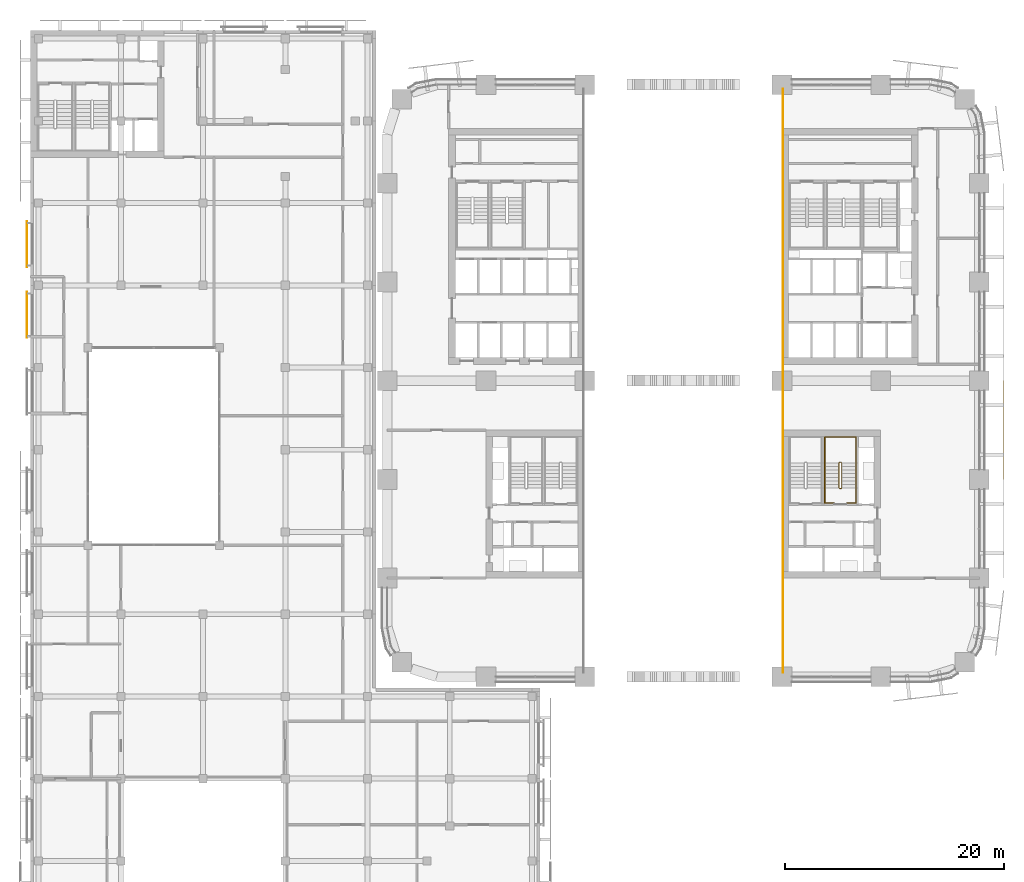
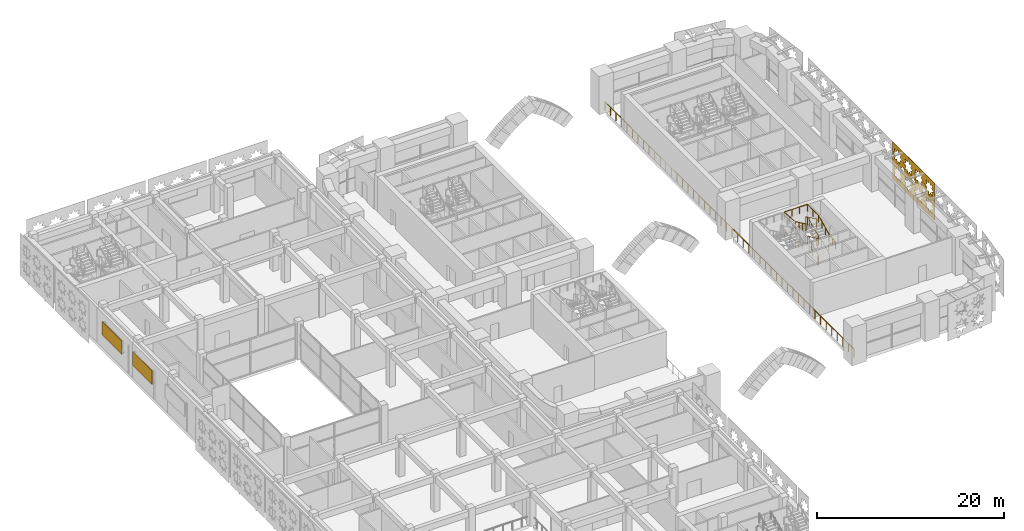
# One storey, part 35 of 40: 4 railings, 3 coverings.
"""IFC4 building model written with IfcOpenShell, lengths in metres."""

from ifc_helpers import new_model, si_unit, direction, frame, origin, origin_2d, place, context, subcontext, project, spatial, polyline, rectangle, circle, outline, extrude, material, layer, layer_set, type_object, element, save


model = new_model("IFC4")

# Units and contexts
model_context = context("Model", 3, precision=1e-05, world=origin(), true_north=direction((0.0, 1.0)))
body_context = subcontext(model_context, "Body", "Model", "MODEL_VIEW")
ifc_project = project(units=[si_unit("LENGTHUNIT", "METRE"), si_unit("AREAUNIT", "SQUARE_METRE"), si_unit("VOLUMEUNIT", "CUBIC_METRE"), si_unit("PLANEANGLEUNIT", "RADIAN"), si_unit("MASSUNIT", "GRAM", prefix="KILO")], contexts=[model_context])

# Site, building, storey
site_placement = place(None, origin())
site = spatial("IfcSite", under=ifc_project, at=site_placement, CompositionType="ELEMENT")
building_placement = place(site_placement, origin())
building = spatial("IfcBuilding", under=site, at=building_placement, Name="Tessera Arch", CompositionType="ELEMENT")
storey_placement = place(building_placement, frame((0.0, 0.0, 21.0)))
storey = spatial("IfcBuildingStorey", under=building, at=storey_placement, Name="L03", CompositionType="ELEMENT", Elevation=21.0)

# Covering
ifc_material_1 = material(Name="Anodised aluminium pale metal", Category="aluminium")
ifc_layer_1 = layer(ifc_material_1, 0.050048828125)
ifc_layer_set_1 = layer_set([ifc_layer_1], Name="Base lattice panel pale metal")
covering_type_1 = type_object("IfcCoveringType", Name="Base lattice panel pale metal", PredefinedType="CLADDING", material=ifc_layer_set_1)
covering_placement = place(storey_placement, frame((56.199951171875, 18.0, 5.0), z_axis=(-1.0, 0.0, 0.0), x_axis=(0.0, 1.0, 0.0)))
element("IfcCovering", 1, at=covering_placement, inside=storey, type_object=covering_type_1, Name="Base lattice panel E54.0/1 L03", PredefinedType="CLADDING", context=body_context, shape_type="SweptSolid", body=[
    extrude(outline(polyline([(0.0, 0.0), (9.0, 0.0), (9.0, 4.840087890625), (0.0, 4.840087890625), (0.0, 0.0)]), holes=[polyline([(2.114990234375, 3.544921875), (1.6240234375, 3.337890625), (1.824951171875, 2.844970703125), (1.33203125, 3.0458984375), (1.125, 2.554931640625), (0.91796875, 3.0458984375), (0.425048828125, 2.844970703125), (0.6259765625, 3.337890625), (0.135009765625, 3.544921875), (0.6259765625, 3.751953125), (0.425048828125, 4.2451171875), (0.91796875, 4.0439453125), (1.125, 4.534912109375), (1.33203125, 4.0439453125), (1.824951171875, 4.2451171875), (1.6240234375, 3.751953125), (2.114990234375, 3.544921875)]), polyline([(2.114990234375, 1.294921875), (1.6240234375, 1.087890625), (1.824951171875, 0.594970703125), (1.33203125, 0.7958984375), (1.125, 0.304931640625), (0.91796875, 0.7958984375), (0.425048828125, 0.594970703125), (0.6259765625, 1.087890625), (0.135009765625, 1.294921875), (0.6259765625, 1.501953125), (0.425048828125, 1.9951171875), (0.91796875, 1.7939453125), (1.125, 2.284912109375), (1.33203125, 1.7939453125), (1.824951171875, 1.9951171875), (1.6240234375, 1.501953125), (2.114990234375, 1.294921875)]), polyline([(4.364990234375, 3.544921875), (3.8740234375, 3.337890625), (4.074951171875, 2.844970703125), (3.58203125, 3.0458984375), (3.375, 2.554931640625), (3.16796875, 3.0458984375), (2.675048828125, 2.844970703125), (2.8759765625, 3.337890625), (2.385009765625, 3.544921875), (2.8759765625, 3.751953125), (2.675048828125, 4.2451171875), (3.16796875, 4.0439453125), (3.375, 4.534912109375), (3.58203125, 4.0439453125), (4.074951171875, 4.2451171875), (3.8740234375, 3.751953125), (4.364990234375, 3.544921875)]), polyline([(4.364990234375, 1.294921875), (3.8740234375, 1.087890625), (4.074951171875, 0.594970703125), (3.58203125, 0.7958984375), (3.375, 0.304931640625), (3.16796875, 0.7958984375), (2.675048828125, 0.594970703125), (2.8759765625, 1.087890625), (2.385009765625, 1.294921875), (2.8759765625, 1.501953125), (2.675048828125, 1.9951171875), (3.16796875, 1.7939453125), (3.375, 2.284912109375), (3.58203125, 1.7939453125), (4.074951171875, 1.9951171875), (3.8740234375, 1.501953125), (4.364990234375, 1.294921875)]), polyline([(6.614990234375, 3.544921875), (6.1240234375, 3.337890625), (6.324951171875, 2.844970703125), (5.83203125, 3.0458984375), (5.625, 2.554931640625), (5.41796875, 3.0458984375), (4.925048828125, 2.844970703125), (5.1259765625, 3.337890625), (4.635009765625, 3.544921875), (5.1259765625, 3.751953125), (4.925048828125, 4.2451171875), (5.41796875, 4.0439453125), (5.625, 4.534912109375), (5.83203125, 4.0439453125), (6.324951171875, 4.2451171875), (6.1240234375, 3.751953125), (6.614990234375, 3.544921875)]), polyline([(6.614990234375, 1.294921875), (6.1240234375, 1.087890625), (6.324951171875, 0.594970703125), (5.83203125, 0.7958984375), (5.625, 0.304931640625), (5.41796875, 0.7958984375), (4.925048828125, 0.594970703125), (5.1259765625, 1.087890625), (4.635009765625, 1.294921875), (5.1259765625, 1.501953125), (4.925048828125, 1.9951171875), (5.41796875, 1.7939453125), (5.625, 2.284912109375), (5.83203125, 1.7939453125), (6.324951171875, 1.9951171875), (6.1240234375, 1.501953125), (6.614990234375, 1.294921875)]), polyline([(8.864990234375, 3.544921875), (8.3740234375, 3.337890625), (8.574951171875, 2.844970703125), (8.08203125, 3.0458984375), (7.875, 2.554931640625), (7.66796875, 3.0458984375), (7.175048828125, 2.844970703125), (7.3759765625, 3.337890625), (6.885009765625, 3.544921875), (7.3759765625, 3.751953125), (7.175048828125, 4.2451171875), (7.66796875, 4.0439453125), (7.875, 4.534912109375), (8.08203125, 4.0439453125), (8.574951171875, 4.2451171875), (8.3740234375, 3.751953125), (8.864990234375, 3.544921875)]), polyline([(8.864990234375, 1.294921875), (8.3740234375, 1.087890625), (8.574951171875, 0.594970703125), (8.08203125, 0.7958984375), (7.875, 0.304931640625), (7.66796875, 0.7958984375), (7.175048828125, 0.594970703125), (7.3759765625, 1.087890625), (6.885009765625, 1.294921875), (7.3759765625, 1.501953125), (7.175048828125, 1.9951171875), (7.66796875, 1.7939453125), (7.875, 2.284912109375), (8.08203125, 1.7939453125), (8.574951171875, 1.9951171875), (8.3740234375, 1.501953125), (8.864990234375, 1.294921875)]), polyline([(2.699951171875, 2.419921875), (2.25, 1.969970703125), (1.800048828125, 2.419921875), (2.25, 2.8701171875), (2.699951171875, 2.419921875)]), polyline([(4.949951171875, 2.419921875), (4.5, 1.969970703125), (4.050048828125, 2.419921875), (4.5, 2.8701171875), (4.949951171875, 2.419921875)]), polyline([(7.199951171875, 2.419921875), (6.75, 1.969970703125), (6.300048828125, 2.419921875), (6.75, 2.8701171875), (7.199951171875, 2.419921875)])]), origin(), (0.0, 0.0, -1.0), 0.050048828125),
])

# Railing
ifc_material_2 = material(Name="Stainless steel and clear glass", Category="steel")
railing_type_1 = type_object("IfcRailingType", Name="Museum roof guard 1100", PredefinedType="GUARDRAIL", material=ifc_material_2)
railing_1_placement = place(storey_placement, frame((36.10009765625, 0.39990234375, 0.0)))
element("IfcRailing", 2, at=railing_1_placement, inside=storey, type_object=railing_type_1, Name="Arch passage edge guard L03", PredefinedType="GUARDRAIL", context=body_context, shape_type="SweptSolid", body=[
    extrude(circle(Radius=0.02490234375, at=origin_2d()), frame((0.0, -0.00390625, 1.0751953125), z_axis=(0.0, 1.0, 0.0), x_axis=(-1.0, 0.0, 0.0)), (0.0, 0.0, 1.0), 53.208251953125),
    extrude(circle(Radius=0.02001953125, at=origin_2d()), origin(), (0.0, 0.0, 1.0), 1.06201171875),
    extrude(circle(Radius=0.02001953125, at=origin_2d()), frame((0.0, 1.18212890625, 0.0)), (0.0, 0.0, 1.0), 1.06201171875),
    extrude(circle(Radius=0.02001953125, at=origin_2d()), frame((0.0, 2.364501953125, 0.0)), (0.0, 0.0, 1.0), 1.06201171875),
    extrude(circle(Radius=0.02001953125, at=origin_2d()), frame((0.0, 3.546630859375, 0.0)), (0.0, 0.0, 1.0), 1.06201171875),
    extrude(circle(Radius=0.02001953125, at=origin_2d()), frame((0.0, 4.72900390625, 0.0)), (0.0, 0.0, 1.0), 1.06201171875),
    extrude(circle(Radius=0.02001953125, at=origin_2d()), frame((0.0, 5.9111328125, 0.0)), (0.0, 0.0, 1.0), 1.06201171875),
    extrude(circle(Radius=0.02001953125, at=origin_2d()), frame((0.0, 7.09326171875, 0.0)), (0.0, 0.0, 1.0), 1.06201171875),
    extrude(circle(Radius=0.02001953125, at=origin_2d()), frame((0.0, 8.275634765625, 0.0)), (0.0, 0.0, 1.0), 1.06201171875),
    extrude(circle(Radius=0.02001953125, at=origin_2d()), frame((0.0, 9.457763671875, 0.0)), (0.0, 0.0, 1.0), 1.06201171875),
    extrude(circle(Radius=0.02001953125, at=origin_2d()), frame((0.0, 10.64013671875, 0.0)), (0.0, 0.0, 1.0), 1.06201171875),
    extrude(circle(Radius=0.02001953125, at=origin_2d()), frame((0.0, 11.822265625, 0.0)), (0.0, 0.0, 1.0), 1.06201171875),
    extrude(circle(Radius=0.02001953125, at=origin_2d()), frame((0.0, 13.00439453125, 0.0)), (0.0, 0.0, 1.0), 1.06201171875),
    extrude(circle(Radius=0.02001953125, at=origin_2d()), frame((0.0, 14.186767578125, 0.0)), (0.0, 0.0, 1.0), 1.06201171875),
    extrude(circle(Radius=0.02001953125, at=origin_2d()), frame((0.0, 15.368896484375, 0.0)), (0.0, 0.0, 1.0), 1.06201171875),
    extrude(circle(Radius=0.02001953125, at=origin_2d()), frame((0.0, 16.55126953125, 0.0)), (0.0, 0.0, 1.0), 1.06201171875),
    extrude(circle(Radius=0.02001953125, at=origin_2d()), frame((0.0, 17.7333984375, 0.0)), (0.0, 0.0, 1.0), 1.06201171875),
    extrude(circle(Radius=0.02001953125, at=origin_2d()), frame((0.0, 18.91552734375, 0.0)), (0.0, 0.0, 1.0), 1.06201171875),
    extrude(circle(Radius=0.02001953125, at=origin_2d()), frame((0.0, 20.097900390625, 0.0)), (0.0, 0.0, 1.0), 1.06201171875),
    extrude(circle(Radius=0.02001953125, at=origin_2d()), frame((0.0, 21.280029296875, 0.0)), (0.0, 0.0, 1.0), 1.06201171875),
    extrude(circle(Radius=0.02001953125, at=origin_2d()), frame((0.0, 22.46240234375, 0.0)), (0.0, 0.0, 1.0), 1.06201171875),
    extrude(circle(Radius=0.02001953125, at=origin_2d()), frame((0.0, 23.64453125, 0.0)), (0.0, 0.0, 1.0), 1.06201171875),
    extrude(circle(Radius=0.02001953125, at=origin_2d()), frame((0.0, 24.82666015625, 0.0)), (0.0, 0.0, 1.0), 1.06201171875),
    extrude(circle(Radius=0.02001953125, at=origin_2d()), frame((0.0, 26.009033203125, 0.0)), (0.0, 0.0, 1.0), 1.06201171875),
    extrude(circle(Radius=0.02001953125, at=origin_2d()), frame((0.0, 27.191162109375, 0.0)), (0.0, 0.0, 1.0), 1.06201171875),
    extrude(circle(Radius=0.02001953125, at=origin_2d()), frame((0.0, 28.37353515625, 0.0)), (0.0, 0.0, 1.0), 1.06201171875),
    extrude(circle(Radius=0.02001953125, at=origin_2d()), frame((0.0, 29.5556640625, 0.0)), (0.0, 0.0, 1.0), 1.06201171875),
    extrude(circle(Radius=0.02001953125, at=origin_2d()), frame((0.0, 30.73779296875, 0.0)), (0.0, 0.0, 1.0), 1.06201171875),
    extrude(circle(Radius=0.02001953125, at=origin_2d()), frame((0.0, 31.920166015625, 0.0)), (0.0, 0.0, 1.0), 1.06201171875),
    extrude(circle(Radius=0.02001953125, at=origin_2d()), frame((0.0, 33.102294921875, 0.0)), (0.0, 0.0, 1.0), 1.06201171875),
    extrude(circle(Radius=0.02001953125, at=origin_2d()), frame((0.0, 34.28466796875, 0.0)), (0.0, 0.0, 1.0), 1.06201171875),
    extrude(circle(Radius=0.02001953125, at=origin_2d()), frame((0.0, 35.466796875, 0.0)), (0.0, 0.0, 1.0), 1.06201171875),
    extrude(circle(Radius=0.02001953125, at=origin_2d()), frame((0.0, 36.64892578125, 0.0)), (0.0, 0.0, 1.0), 1.06201171875),
    extrude(circle(Radius=0.02001953125, at=origin_2d()), frame((0.0, 37.831298828125, 0.0)), (0.0, 0.0, 1.0), 1.06201171875),
    extrude(circle(Radius=0.02001953125, at=origin_2d()), frame((0.0, 39.013427734375, 0.0)), (0.0, 0.0, 1.0), 1.06201171875),
    extrude(circle(Radius=0.02001953125, at=origin_2d()), frame((0.0, 40.19580078125, 0.0)), (0.0, 0.0, 1.0), 1.06201171875),
    extrude(circle(Radius=0.02001953125, at=origin_2d()), frame((0.0, 41.3779296875, 0.0)), (0.0, 0.0, 1.0), 1.06201171875),
    extrude(circle(Radius=0.02001953125, at=origin_2d()), frame((0.0, 42.56005859375, 0.0)), (0.0, 0.0, 1.0), 1.06201171875),
    extrude(circle(Radius=0.02001953125, at=origin_2d()), frame((0.0, 43.742431640625, 0.0)), (0.0, 0.0, 1.0), 1.06201171875),
    extrude(circle(Radius=0.02001953125, at=origin_2d()), frame((0.0, 44.924560546875, 0.0)), (0.0, 0.0, 1.0), 1.06201171875),
    extrude(circle(Radius=0.02001953125, at=origin_2d()), frame((0.0, 46.10693359375, 0.0)), (0.0, 0.0, 1.0), 1.06201171875),
    extrude(circle(Radius=0.02001953125, at=origin_2d()), frame((0.0, 47.2890625, 0.0)), (0.0, 0.0, 1.0), 1.06201171875),
    extrude(circle(Radius=0.02001953125, at=origin_2d()), frame((0.0, 48.47119140625, 0.0)), (0.0, 0.0, 1.0), 1.06201171875),
    extrude(circle(Radius=0.02001953125, at=origin_2d()), frame((0.0, 49.653564453125, 0.0)), (0.0, 0.0, 1.0), 1.06201171875),
    extrude(circle(Radius=0.02001953125, at=origin_2d()), frame((0.0, 50.835693359375, 0.0)), (0.0, 0.0, 1.0), 1.06201171875),
    extrude(circle(Radius=0.02001953125, at=origin_2d()), frame((0.0, 52.01806640625, 0.0)), (0.0, 0.0, 1.0), 1.06201171875),
    extrude(circle(Radius=0.02001953125, at=origin_2d()), frame((0.0, 53.2001953125, 0.0)), (0.0, 0.0, 1.0), 1.06201171875),
])

# Coverings
ifc_material_3 = material(Name="Anodised aluminium pale metal", Category="aluminium")
ifc_layer_2 = layer(ifc_material_3, 0.0400390625)
ifc_layer_set_2 = layer_set([ifc_layer_2], Name="Museum screen panel")
covering_type_2 = type_object("IfcCoveringType", Name="Museum screen panel", PredefinedType="CLADDING", material=ifc_layer_set_2)
for number, where, z_axis, x_axis, name in (
    (3, (-32.8701171875, 39.449951171875, 2.10009765625), (0.0, 0.0, 1.0), (0.0, -1.0, 0.0), "Screen panel museum L03 6-4"),
    (4, (-32.8701171875, 33.0, 2.10009765625), (0.0, 0.0, 1.0), (0.0, -1.0, 0.0), "Screen panel museum L03 6-5"),
):
    element("IfcCovering", number, at=place(storey_placement, frame(where, z_axis=z_axis, x_axis=x_axis)), inside=storey, type_object=covering_type_2, Name=name, PredefinedType="CLADDING", context=body_context, shape_type="SweptSolid", body=[
        extrude(rectangle(XDim=4.199951171875, YDim=0.0400390625, at=origin_2d()), origin(), (0.0, 0.0, 1.0), 1.800048828125),
    ])

# Railings
ifc_material_4 = material(Name="Painted steel balustrade", Category="steel")
railing_type_2 = type_object("IfcRailingType", Name="Stair guard 1100", PredefinedType="GUARDRAIL", material=ifc_material_4)
railing_2_placement = place(storey_placement, frame((41.39990234375, 17.14990234375, 0.0)))
element("IfcRailing", 5, at=railing_2_placement, inside=storey, type_object=railing_type_2, Name="L03 S3b stair guard 1", PredefinedType="GUARDRAIL", context=body_context, shape_type="SweptSolid", body=[
    extrude(circle(Radius=0.02392578125, at=origin_2d()), frame((0.00390625, 0.0, 1.076171875), z_axis=(-1.0, 0.0, 0.0), x_axis=(0.0, -1.0, 0.0)), (0.0, 0.0, 1.0), 0.157958984375),
    extrude(circle(Radius=0.02392578125, at=origin_2d()), frame((-0.153076171875, -0.000732421875, 1.07373046875), z_axis=(0.77305925043, 0.19350078918, 0.604100024756), x_axis=(-0.242814311512, 0.970072785993, 0.0)), (0.0, 0.0, 1.0), 0.2666015625),
    extrude(circle(Radius=0.02392578125, at=origin_2d()), frame((0.050048828125, 0.04638671875, 1.23046875), z_axis=(0.0, 0.903811734687, 0.427930307694), x_axis=(-1.0, 0.0, 0.0)), (0.0, 0.0, 1.0), 2.56396484375),
    extrude(circle(Radius=0.02392578125, at=origin_2d()), frame((0.052978515625, 2.357177734375, 2.326171875), z_axis=(-0.707106781187, 0.707106781187, 0.0), x_axis=(-0.707106781187, -0.707106781187, 0.0)), (0.0, 0.0, 1.0), 0.078857421875),
    extrude(circle(Radius=0.02392578125, at=origin_2d()), frame((0.00390625, 2.41015625, 2.326171875), z_axis=(-1.0, 0.0, 0.0), x_axis=(0.0, -1.0, 0.0)), (0.0, 0.0, 1.0), 0.157958984375),
    extrude(circle(Radius=0.02392578125, at=origin_2d()), frame((-0.148681640625, 2.411376953125, 2.322509765625), z_axis=(-0.29177245553, -0.29177245553, 0.91089937336), x_axis=(0.707106781187, -0.707106781187, 0.0)), (0.0, 0.0, 1.0), 0.179443359375),
    extrude(circle(Radius=0.02392578125, at=origin_2d()), frame((-0.199951171875, 2.36376953125, 2.48046875), z_axis=(0.0, -0.903811734687, 0.427930307694), x_axis=(1.0, 0.0, 0.0)), (0.0, 0.0, 1.0), 2.56396484375),
    extrude(circle(Radius=0.02392578125, at=origin_2d()), frame((-0.203857421875, 0.051025390625, 3.576171875), z_axis=(0.970072785993, -0.242814311512, 0.0), x_axis=(0.242814311512, 0.970072785993, 0.0)), (0.0, 0.0, 1.0), 0.214111328125),
    extrude(circle(Radius=0.02392578125, at=origin_2d()), frame((0.00390625, 0.0, 3.576171875), z_axis=(-1.0, 0.0, 0.0), x_axis=(0.0, -1.0, 0.0)), (0.0, 0.0, 1.0), 0.157958984375),
    extrude(circle(Radius=0.02392578125, at=origin_2d()), frame((-0.153076171875, -0.000732421875, 3.57373046875), z_axis=(0.77305925043, 0.19350078918, 0.604100024756), x_axis=(-0.242814311512, 0.970072785993, 0.0)), (0.0, 0.0, 1.0), 0.2666015625),
    extrude(circle(Radius=0.02392578125, at=origin_2d()), frame((0.050048828125, 0.04638671875, 3.73046875), z_axis=(0.0, 0.903811734687, 0.427930307694), x_axis=(-1.0, 0.0, 0.0)), (0.0, 0.0, 1.0), 2.56396484375),
    extrude(circle(Radius=0.02392578125, at=origin_2d()), frame((0.052978515625, 2.357177734375, 4.826171875), z_axis=(-0.707106781187, 0.707106781187, 0.0), x_axis=(-0.707106781187, -0.707106781187, 0.0)), (0.0, 0.0, 1.0), 0.078857421875),
    extrude(circle(Radius=0.02392578125, at=origin_2d()), frame((0.00390625, 2.41015625, 4.826171875), z_axis=(-1.0, 0.0, 0.0), x_axis=(0.0, -1.0, 0.0)), (0.0, 0.0, 1.0), 0.157958984375),
    extrude(circle(Radius=0.02392578125, at=origin_2d()), frame((-0.148681640625, 2.411376953125, 4.822509765625), z_axis=(-0.29177245553, -0.29177245553, 0.91089937336), x_axis=(0.707106781187, -0.707106781187, 0.0)), (0.0, 0.0, 1.0), 0.179443359375),
    extrude(circle(Radius=0.02392578125, at=origin_2d()), frame((-0.199951171875, 2.36376953125, 4.98046875), z_axis=(0.0, -0.903811734687, 0.427930307694), x_axis=(1.0, 0.0, 0.0)), (0.0, 0.0, 1.0), 2.56396484375),
    extrude(circle(Radius=0.02099609375, at=origin_2d()), origin(), (0.0, 0.0, 1.0), 1.06396484375),
    extrude(circle(Radius=0.02099609375, at=origin_2d()), frame((-0.14990234375, 0.0, 0.0)), (0.0, 0.0, 1.0), 1.06396484375),
    extrude(circle(Radius=0.02099609375, at=origin_2d()), frame((0.050048828125, 0.050048828125, 0.15625)), (0.0, 0.0, 1.0), 1.06396484375),
    extrude(circle(Radius=0.02099609375, at=origin_2d()), frame((0.050048828125, 0.820068359375, 0.520751953125)), (0.0, 0.0, 1.0), 1.06396484375),
    extrude(circle(Radius=0.02099609375, at=origin_2d()), frame((0.050048828125, 1.590087890625, 0.885498046875)), (0.0, 0.0, 1.0), 1.06396484375),
    extrude(circle(Radius=0.02099609375, at=origin_2d()), frame((0.050048828125, 2.360107421875, 1.25)), (0.0, 0.0, 1.0), 1.06396484375),
    extrude(circle(Radius=0.02099609375, at=origin_2d()), frame((0.0, 2.41015625, 1.25)), (0.0, 0.0, 1.0), 1.06396484375),
    extrude(circle(Radius=0.02099609375, at=origin_2d()), frame((-0.14990234375, 2.41015625, 1.25)), (0.0, 0.0, 1.0), 1.06396484375),
    extrude(circle(Radius=0.02099609375, at=origin_2d()), frame((-0.199951171875, 2.360107421875, 1.40625)), (0.0, 0.0, 1.0), 1.06396484375),
    extrude(circle(Radius=0.02099609375, at=origin_2d()), frame((-0.199951171875, 1.590087890625, 1.770751953125)), (0.0, 0.0, 1.0), 1.06396484375),
    extrude(circle(Radius=0.02099609375, at=origin_2d()), frame((-0.199951171875, 0.820068359375, 2.135498046875)), (0.0, 0.0, 1.0), 1.06396484375),
    extrude(circle(Radius=0.02099609375, at=origin_2d()), frame((-0.199951171875, 0.050048828125, 2.5)), (0.0, 0.0, 1.0), 1.06396484375),
    extrude(circle(Radius=0.02099609375, at=origin_2d()), frame((0.0, 0.0, 2.5)), (0.0, 0.0, 1.0), 1.06396484375),
    extrude(circle(Radius=0.02099609375, at=origin_2d()), frame((-0.14990234375, 0.0, 2.5)), (0.0, 0.0, 1.0), 1.06396484375),
    extrude(circle(Radius=0.02099609375, at=origin_2d()), frame((0.050048828125, 0.050048828125, 2.65625)), (0.0, 0.0, 1.0), 1.06396484375),
    extrude(circle(Radius=0.02099609375, at=origin_2d()), frame((0.050048828125, 0.820068359375, 3.020751953125)), (0.0, 0.0, 1.0), 1.06396484375),
    extrude(circle(Radius=0.02099609375, at=origin_2d()), frame((0.050048828125, 1.590087890625, 3.385498046875)), (0.0, 0.0, 1.0), 1.06396484375),
    extrude(circle(Radius=0.02099609375, at=origin_2d()), frame((0.050048828125, 2.360107421875, 3.75)), (0.0, 0.0, 1.0), 1.06396484375),
    extrude(circle(Radius=0.02099609375, at=origin_2d()), frame((0.0, 2.41015625, 3.75)), (0.0, 0.0, 1.0), 1.06396484375),
    extrude(circle(Radius=0.02099609375, at=origin_2d()), frame((-0.14990234375, 2.41015625, 3.75)), (0.0, 0.0, 1.0), 1.06396484375),
    extrude(circle(Radius=0.02099609375, at=origin_2d()), frame((-0.199951171875, 2.360107421875, 3.90625)), (0.0, 0.0, 1.0), 1.06396484375),
    extrude(circle(Radius=0.02099609375, at=origin_2d()), frame((-0.199951171875, 1.590087890625, 4.270751953125)), (0.0, 0.0, 1.0), 1.06396484375),
    extrude(circle(Radius=0.02099609375, at=origin_2d()), frame((-0.199951171875, 0.820068359375, 4.635498046875)), (0.0, 0.0, 1.0), 1.06396484375),
    extrude(circle(Radius=0.02099609375, at=origin_2d()), frame((-0.199951171875, 0.050048828125, 5.0)), (0.0, 0.0, 1.0), 1.06396484375),
])
ifc_material_5 = material(Name="Painted steel handrail", Category="steel")
railing_type_3 = type_object("IfcRailingType", Name="Stair handrail 900", PredefinedType="HANDRAIL", material=ifc_material_5)
railing_3_placement = place(storey_placement, frame((42.75, 17.199951171875, 0.15625)))
element("IfcRailing", 6, at=railing_3_placement, inside=storey, type_object=railing_type_3, Name="L03 S3b stair handrail", PredefinedType="HANDRAIL", context=body_context, shape_type="SweptSolid", body=[
    extrude(circle(Radius=0.02392578125, at=origin_2d()), frame((0.0, -0.003662109375, 0.8740234375), z_axis=(0.0, 0.903811734687, 0.427930307694), x_axis=(-1.0, 0.0, 0.0)), (0.0, 0.0, 1.0), 2.56396484375),
    extrude(circle(Radius=0.02392578125, at=origin_2d()), frame((0.0, 2.30615234375, 1.9697265625), z_axis=(0.0, 1.0, 0.0), x_axis=(-1.0, 0.0, 0.0)), (0.0, 0.0, 1.0), 2.34814453125),
    extrude(circle(Radius=0.02392578125, at=origin_2d()), frame((0.00390625, 4.650146484375, 1.9697265625), z_axis=(-1.0, 0.0, 0.0), x_axis=(0.0, -1.0, 0.0)), (0.0, 0.0, 1.0), 2.858154296875),
    extrude(circle(Radius=0.02392578125, at=origin_2d()), frame((-2.85009765625, 4.654052734375, 1.96923828125), z_axis=(0.0, -0.997778243323, 0.066622647441), x_axis=(1.0, 0.0, 0.0)), (0.0, 0.0, 1.0), 2.353271484375),
    extrude(circle(Radius=0.02392578125, at=origin_2d()), frame((-2.85009765625, 2.313720703125, 2.1240234375), z_axis=(0.0, -0.903811734687, 0.427930307694), x_axis=(1.0, 0.0, 0.0)), (0.0, 0.0, 1.0), 2.56396484375),
    extrude(circle(Radius=0.02392578125, at=origin_2d()), frame((-2.85009765625, 0.00390625, 3.2197265625), z_axis=(0.0, -1.0, 0.0), x_axis=(1.0, 0.0, 0.0)), (0.0, 0.0, 1.0), 1.35791015625),
    extrude(circle(Radius=0.02392578125, at=origin_2d()), frame((-2.85400390625, -1.349853515625, 3.2197265625), z_axis=(1.0, 0.0, 0.0), x_axis=(0.0, 1.0, 0.0)), (0.0, 0.0, 1.0), 0.833251953125),
    extrude(circle(Radius=0.02099609375, at=origin_2d()), origin(), (0.0, 0.0, 1.0), 0.86376953125),
    extrude(circle(Radius=0.02099609375, at=origin_2d()), frame((0.0, 0.77001953125, 0.364501953125)), (0.0, 0.0, 1.0), 0.86376953125),
    extrude(circle(Radius=0.02099609375, at=origin_2d()), frame((0.0, 1.5400390625, 0.729248046875)), (0.0, 0.0, 1.0), 0.86376953125),
    extrude(circle(Radius=0.02099609375, at=origin_2d()), frame((0.0, 2.31005859375, 1.09375)), (0.0, 0.0, 1.0), 0.86376953125),
    extrude(circle(Radius=0.02099609375, at=origin_2d()), frame((0.0, 3.47998046875, 1.09375)), (0.0, 0.0, 1.0), 0.86376953125),
    extrude(circle(Radius=0.02099609375, at=origin_2d()), frame((0.0, 4.650146484375, 1.09375)), (0.0, 0.0, 1.0), 0.86376953125),
    extrude(circle(Radius=0.02099609375, at=origin_2d()), frame((-0.949951171875, 4.650146484375, 1.09375)), (0.0, 0.0, 1.0), 0.86376953125),
    extrude(circle(Radius=0.02099609375, at=origin_2d()), frame((-1.900146484375, 4.650146484375, 1.09375)), (0.0, 0.0, 1.0), 0.86376953125),
    extrude(circle(Radius=0.02099609375, at=origin_2d()), frame((-2.85009765625, 4.650146484375, 1.09375)), (0.0, 0.0, 1.0), 0.86376953125),
    extrude(circle(Radius=0.02099609375, at=origin_2d()), frame((-2.85009765625, 3.47998046875, 1.171875)), (0.0, 0.0, 1.0), 0.86376953125),
    extrude(circle(Radius=0.02099609375, at=origin_2d()), frame((-2.85009765625, 2.31005859375, 1.25)), (0.0, 0.0, 1.0), 0.86376953125),
    extrude(circle(Radius=0.02099609375, at=origin_2d()), frame((-2.85009765625, 1.5400390625, 1.614501953125)), (0.0, 0.0, 1.0), 0.86376953125),
    extrude(circle(Radius=0.02099609375, at=origin_2d()), frame((-2.85009765625, 0.77001953125, 1.979248046875)), (0.0, 0.0, 1.0), 0.86376953125),
    extrude(circle(Radius=0.02099609375, at=origin_2d()), frame((-2.85009765625, 0.0, 2.34375)), (0.0, 0.0, 1.0), 0.86376953125),
    extrude(circle(Radius=0.02099609375, at=origin_2d()), frame((-2.85009765625, -0.6748046875, 2.34375)), (0.0, 0.0, 1.0), 0.86376953125),
    extrude(circle(Radius=0.02099609375, at=origin_2d()), frame((-2.85009765625, -1.349853515625, 2.34375)), (0.0, 0.0, 1.0), 0.86376953125),
    extrude(circle(Radius=0.02099609375, at=origin_2d()), frame((-2.02490234375, -1.349853515625, 2.34375)), (0.0, 0.0, 1.0), 0.86376953125),
])
railing_4_placement = place(storey_placement, frame((41.925048828125, 15.85009765625, 2.5)))
element("IfcRailing", 7, at=railing_4_placement, inside=storey, type_object=railing_type_3, Name="L03 S3b stair handrail 2", PredefinedType="HANDRAIL", context=body_context, shape_type="SweptSolid", body=[
    extrude(circle(Radius=0.02392578125, at=origin_2d()), frame((-0.00390625, 0.0, 0.8759765625), z_axis=(1.0, 0.0, 0.0), x_axis=(0.0, 1.0, 0.0)), (0.0, 0.0, 1.0), 0.8330078125),
    extrude(circle(Radius=0.02392578125, at=origin_2d()), frame((0.824951171875, -0.00390625, 0.87548828125), z_axis=(0.0, 0.993367166886, 0.114985528451), x_axis=(-1.0, 0.0, 0.0)), (0.0, 0.0, 1.0), 1.366943359375),
    extrude(circle(Radius=0.02392578125, at=origin_2d()), frame((0.824951171875, 1.34619140625, 1.0302734375), z_axis=(0.0, 0.903811734687, 0.427930307694), x_axis=(-1.0, 0.0, 0.0)), (0.0, 0.0, 1.0), 2.56396484375),
    extrude(circle(Radius=0.02392578125, at=origin_2d()), frame((0.824951171875, 3.656005859375, 2.1259765625), z_axis=(0.0, 1.0, 0.0), x_axis=(-1.0, 0.0, 0.0)), (0.0, 0.0, 1.0), 2.34814453125),
    extrude(circle(Radius=0.02392578125, at=origin_2d()), frame((0.828857421875, 6.0, 2.1259765625), z_axis=(-1.0, 0.0, 0.0), x_axis=(0.0, -1.0, 0.0)), (0.0, 0.0, 1.0), 2.858154296875),
    extrude(circle(Radius=0.02392578125, at=origin_2d()), frame((-2.025146484375, 6.00390625, 2.12548828125), z_axis=(0.0, -0.997778243323, 0.066622647441), x_axis=(1.0, 0.0, 0.0)), (0.0, 0.0, 1.0), 2.353271484375),
    extrude(circle(Radius=0.02392578125, at=origin_2d()), frame((-2.025146484375, 3.66357421875, 2.2802734375), z_axis=(0.0, -0.903811734687, 0.427930307694), x_axis=(1.0, 0.0, 0.0)), (0.0, 0.0, 1.0), 2.56396484375),
    extrude(circle(Radius=0.02099609375, at=origin_2d()), origin(), (0.0, 0.0, 1.0), 0.86376953125),
    extrude(circle(Radius=0.02099609375, at=origin_2d()), frame((0.824951171875, 0.0, 0.0)), (0.0, 0.0, 1.0), 0.86376953125),
    extrude(circle(Radius=0.02099609375, at=origin_2d()), frame((0.824951171875, 0.6748046875, 0.078125)), (0.0, 0.0, 1.0), 0.86376953125),
    extrude(circle(Radius=0.02099609375, at=origin_2d()), frame((0.824951171875, 1.349853515625, 0.15625)), (0.0, 0.0, 1.0), 0.86376953125),
    extrude(circle(Radius=0.02099609375, at=origin_2d()), frame((0.824951171875, 2.119873046875, 0.520751953125)), (0.0, 0.0, 1.0), 0.86376953125),
    extrude(circle(Radius=0.02099609375, at=origin_2d()), frame((0.824951171875, 2.889892578125, 0.885498046875)), (0.0, 0.0, 1.0), 0.86376953125),
    extrude(circle(Radius=0.02099609375, at=origin_2d()), frame((0.824951171875, 3.659912109375, 1.25)), (0.0, 0.0, 1.0), 0.86376953125),
    extrude(circle(Radius=0.02099609375, at=origin_2d()), frame((0.824951171875, 4.830078125, 1.25)), (0.0, 0.0, 1.0), 0.86376953125),
    extrude(circle(Radius=0.02099609375, at=origin_2d()), frame((0.824951171875, 6.0, 1.25)), (0.0, 0.0, 1.0), 0.86376953125),
    extrude(circle(Radius=0.02099609375, at=origin_2d()), frame((-0.125, 6.0, 1.25)), (0.0, 0.0, 1.0), 0.86376953125),
    extrude(circle(Radius=0.02099609375, at=origin_2d()), frame((-1.0751953125, 6.0, 1.25)), (0.0, 0.0, 1.0), 0.86376953125),
    extrude(circle(Radius=0.02099609375, at=origin_2d()), frame((-2.025146484375, 6.0, 1.25)), (0.0, 0.0, 1.0), 0.86376953125),
    extrude(circle(Radius=0.02099609375, at=origin_2d()), frame((-2.025146484375, 4.830078125, 1.328125)), (0.0, 0.0, 1.0), 0.86376953125),
    extrude(circle(Radius=0.02099609375, at=origin_2d()), frame((-2.025146484375, 3.659912109375, 1.40625)), (0.0, 0.0, 1.0), 0.86376953125),
    extrude(circle(Radius=0.02099609375, at=origin_2d()), frame((-2.025146484375, 2.889892578125, 1.770751953125)), (0.0, 0.0, 1.0), 0.86376953125),
    extrude(circle(Radius=0.02099609375, at=origin_2d()), frame((-2.025146484375, 2.119873046875, 2.135498046875)), (0.0, 0.0, 1.0), 0.86376953125),
    extrude(circle(Radius=0.02099609375, at=origin_2d()), frame((-2.025146484375, 1.349853515625, 2.5)), (0.0, 0.0, 1.0), 0.86376953125),
])

save(model, "model.ifc")
